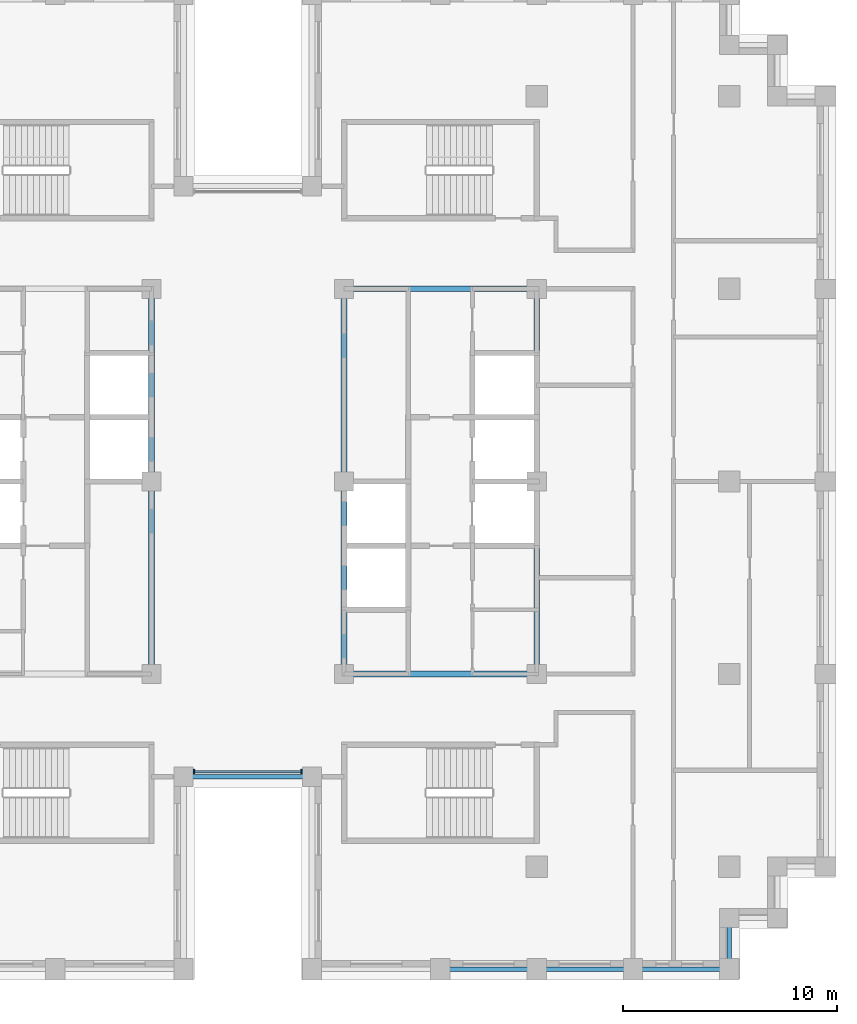
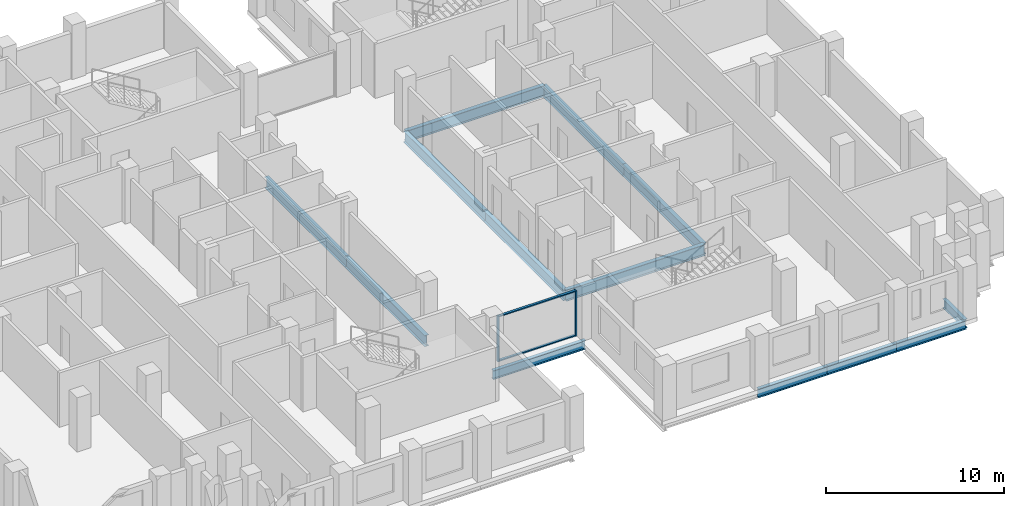
# One storey, part 2 of 15: 13 beams, 4 members, 1 element without a shape of its own.
"""IFC4 building model written with IfcOpenShell, lengths in metres."""

from ifc_helpers import new_model, si_unit, direction, frame, origin, origin_2d, place, context, subcontext, project, spatial, rectangle, i_section, extrude, material, layer, layer_set, material_profile, profile_set, type_object, element, aggregate, save


model = new_model("IFC4")

# Units and contexts
model_context = context("Model", 3, precision=1e-05, world=origin(), true_north=direction((0.0, 1.0)))
body_context = subcontext(model_context, "Body", "Model", "MODEL_VIEW")
ifc_project = project(units=[si_unit("LENGTHUNIT", "METRE"), si_unit("AREAUNIT", "SQUARE_METRE"), si_unit("VOLUMEUNIT", "CUBIC_METRE"), si_unit("PLANEANGLEUNIT", "RADIAN"), si_unit("MASSUNIT", "GRAM", prefix="KILO")], contexts=[model_context])

# Site, building, storey
site_placement = place(None, origin())
site = spatial("IfcSite", under=ifc_project, at=site_placement, CompositionType="ELEMENT")
building_placement = place(site_placement, origin())
building = spatial("IfcBuilding", under=site, at=building_placement, Name="Corbelhall Arena Tower", CompositionType="ELEMENT")
storey_placement = place(building_placement, frame((0.0, 0.0, 192.0)))
storey = spatial("IfcBuildingStorey", under=building, at=storey_placement, Name="L39", CompositionType="ELEMENT", Elevation=192.0)

# Curtain wall, members
ifc_material_1 = material(Name="Aluminium black anodised", Category="aluminium")
ifc_layer = layer(ifc_material_1, 0.199951171875)
ifc_layer_set = layer_set([ifc_layer], Name="EV-CW1 Slot back wall")
curtain_wall_type = type_object("IfcCurtainWallType", Name="EV-CW1 Slot back wall", PredefinedType="NOTDEFINED", material=ifc_layer_set)
curtain_wall_placement = place(storey_placement, origin())
curtain_wall = element("IfcCurtainWall", 1, at=curtain_wall_placement, inside=storey, type_object=curtain_wall_type, Name="Curtain wall CW1", PredefinedType="NOTDEFINED")
ifc_material_profile_1 = material_profile(ifc_material_1, rectangle(XDim=0.199951171875, YDim=0.074951171875, at=origin_2d()))
ifc_profile_set_1 = profile_set([ifc_material_profile_1], Name="Aluminium black anodised")
member_type_1 = type_object("IfcMemberType", Name="EV-CW1-MULLION", PredefinedType="MULLION", material=ifc_profile_set_1)
member_1_placement = place(storey_placement, frame((-2.512451171875, -13.550048828125, 0.0), z_axis=(0.0, 0.0, 1.0), x_axis=(0.0, 1.0, 0.0)))
member_1 = element("IfcMember", 2, at=member_1_placement, type_object=member_type_1, Name="CW1 mullion 1", PredefinedType="MULLION", context=body_context, shape_type="SweptSolid", body=[
    extrude(rectangle(XDim=0.199951171875, YDim=0.074951171875, at=origin_2d()), origin(), (0.0, 0.0, 1.0), 3.1201171875),
])
member_2_placement = place(storey_placement, frame((2.512451171875, -13.550048828125, 0.0), z_axis=(0.0, 0.0, 1.0), x_axis=(0.0, 1.0, 0.0)))
member_2 = element("IfcMember", 3, at=member_2_placement, type_object=member_type_1, Name="CW1 mullion 2", PredefinedType="MULLION", context=body_context, shape_type="SweptSolid", body=[
    extrude(rectangle(XDim=0.199951171875, YDim=0.074951171875, at=origin_2d()), origin(), (0.0, 0.0, 1.0), 3.1201171875),
])
ifc_material_profile_2 = material_profile(ifc_material_1, rectangle(XDim=0.14990234375, YDim=0.074951171875, at=origin_2d()))
ifc_profile_set_2 = profile_set([ifc_material_profile_2], Name="Aluminium black anodised")
member_type_2 = type_object("IfcMemberType", Name="EV-CW1-TRANSOM", PredefinedType="USERDEFINED", material=ifc_profile_set_2)
member_3_placement = place(storey_placement, frame((-2.47509765625, -13.550048828125, 0.03759765625), z_axis=(1.0, 0.0, 0.0), x_axis=(0.0, 1.0, 0.0)))
member_3 = element("IfcMember", 4, at=member_3_placement, type_object=member_type_2, Name="CW1 transom 1.1", ObjectType="transom", PredefinedType="USERDEFINED", context=body_context, shape_type="SweptSolid", body=[
    extrude(rectangle(XDim=0.14990234375, YDim=0.074951171875, at=origin_2d()), origin(), (0.0, 0.0, 1.0), 4.9501953125),
])
member_4_placement = place(storey_placement, frame((-2.47509765625, -13.550048828125, 3.08251953125), z_axis=(1.0, 0.0, 0.0), x_axis=(0.0, 1.0, 0.0)))
member_4 = element("IfcMember", 5, at=member_4_placement, type_object=member_type_2, Name="CW1 transom 1.2", ObjectType="transom", PredefinedType="USERDEFINED", context=body_context, shape_type="SweptSolid", body=[
    extrude(rectangle(XDim=0.14990234375, YDim=0.074951171875, at=origin_2d()), origin(), (0.0, 0.0, 1.0), 4.9501953125),
])
aggregate(curtain_wall, [member_1, member_2, member_3, member_4])

# Beams
ifc_material_2 = material(Name="Steel ASTM A992 Gr50", Category="steel")
ifc_material_profile_3 = material_profile(ifc_material_2, i_section(OverallWidth=0.2666015625, OverallDepth=0.761962890625, WebThickness=0.014404296875, FlangeThickness=0.021484375, at=origin_2d()))
ifc_profile_set_3 = profile_set([ifc_material_profile_3], Name="Steel ASTM A992 Gr50")
beam_type_1 = type_object("IfcBeamType", Name="ST-BEAM-W30x116", PredefinedType="BEAM", material=ifc_profile_set_3)
for number, where, z_axis, x_axis, name in (
    (6, (-4.5, -9.0, -0.660888671875), (0.0, 1.0, 0.0), (-1.0, 0.0, 0.0), "Beam CEW 3"),
    (7, (-4.5, 0.0, -0.660888671875), (0.0, 1.0, 0.0), (-1.0, 0.0, 0.0), "Beam CEW 4"),
    (8, (4.5, -9.0, -0.660888671875), (0.0, 1.0, 0.0), (-1.0, 0.0, 0.0), "Beam CEE 7"),
    (9, (4.5, 0.0, -0.660888671875), (0.0, 1.0, 0.0), (-1.0, 0.0, 0.0), "Beam CEE 8"),
    (10, (13.5, -9.0, -0.660888671875), (0.0, 1.0, 0.0), (-1.0, 0.0, 0.0), "Beam CEE 9"),
    (11, (13.5, 0.0, -0.660888671875), (0.0, 1.0, 0.0), (-1.0, 0.0, 0.0), "Beam CEE 10"),
    (12, (4.5, -9.0, -0.660888671875), (1.0, 0.0, 0.0), (0.0, 1.0, 0.0), "Beam CEE 11"),
    (13, (4.5, 9.0, -0.660888671875), (1.0, 0.0, 0.0), (0.0, 1.0, 0.0), "Beam CEE 12"),
):
    element("IfcBeam", number, at=place(storey_placement, frame(where, z_axis=z_axis, x_axis=x_axis)), inside=storey, type_object=beam_type_1, Name=name, PredefinedType="BEAM", context=body_context, shape_type="SweptSolid", body=[
        extrude(i_section(OverallWidth=0.2666015625, OverallDepth=0.761962890625, WebThickness=0.014404296875, FlangeThickness=0.021484375, at=origin_2d()), origin(), (0.0, 0.0, 1.0), 9.0),
    ])
ifc_material_profile_4 = material_profile(ifc_material_2, i_section(OverallWidth=0.228271484375, OverallDepth=0.607177734375, WebThickness=0.01123046875, FlangeThickness=0.017333984375, at=origin_2d()))
ifc_profile_set_4 = profile_set([ifc_material_profile_4], Name="Steel ASTM A992 Gr50")
beam_type_2 = type_object("IfcBeamType", Name="ST-SPANDREL-W24x76", PredefinedType="SPANDREL", material=ifc_profile_set_4)
for number, where, z_axis, x_axis, name in (
    (14, (13.5, -22.800048828125, -0.58349609375), (-1.0, 0.0, 0.0), (0.0, -1.0, 0.0), "Beam SP 25"),
    (15, (18.0, -22.800048828125, -0.58349609375), (-1.0, 0.0, 0.0), (0.0, -1.0, 0.0), "Beam SP 26"),
    (16, (22.5, -22.800048828125, -0.58349609375), (-1.0, 0.0, 0.0), (0.0, -1.0, 0.0), "Beam SP 27"),
):
    element("IfcBeam", number, at=place(storey_placement, frame(where, z_axis=z_axis, x_axis=x_axis)), inside=storey, type_object=beam_type_2, Name=name, PredefinedType="SPANDREL", context=body_context, shape_type="SweptSolid", body=[
        extrude(i_section(OverallWidth=0.228271484375, OverallDepth=0.607177734375, WebThickness=0.01123046875, FlangeThickness=0.017333984375, at=origin_2d()), origin(), (0.0, 0.0, 1.0), 4.5),
    ])
beam_1_placement = place(storey_placement, frame((3.0, -13.800048828125, -0.58349609375), z_axis=(-1.0, 0.0, 0.0), x_axis=(0.0, -1.0, 0.0)))
element("IfcBeam", 17, at=beam_1_placement, inside=storey, type_object=beam_type_2, Name="Beam SP 37", PredefinedType="SPANDREL", context=body_context, shape_type="SweptSolid", body=[
    extrude(i_section(OverallWidth=0.228271484375, OverallDepth=0.607177734375, WebThickness=0.01123046875, FlangeThickness=0.017333984375, at=origin_2d()), origin(), (0.0, 0.0, 1.0), 6.0),
])
beam_2_placement = place(storey_placement, frame((22.5, -20.39990234375, -0.58349609375), z_axis=(0.0, -1.0, 0.0), x_axis=(1.0, 0.0, 0.0)))
element("IfcBeam", 18, at=beam_2_placement, inside=storey, type_object=beam_type_2, Name="Beam SP 45", PredefinedType="SPANDREL", context=body_context, shape_type="SweptSolid", body=[
    extrude(i_section(OverallWidth=0.228271484375, OverallDepth=0.607177734375, WebThickness=0.01123046875, FlangeThickness=0.017333984375, at=origin_2d()), origin(), (0.0, 0.0, 1.0), 2.400146484375),
])

save(model, "model.ifc")
